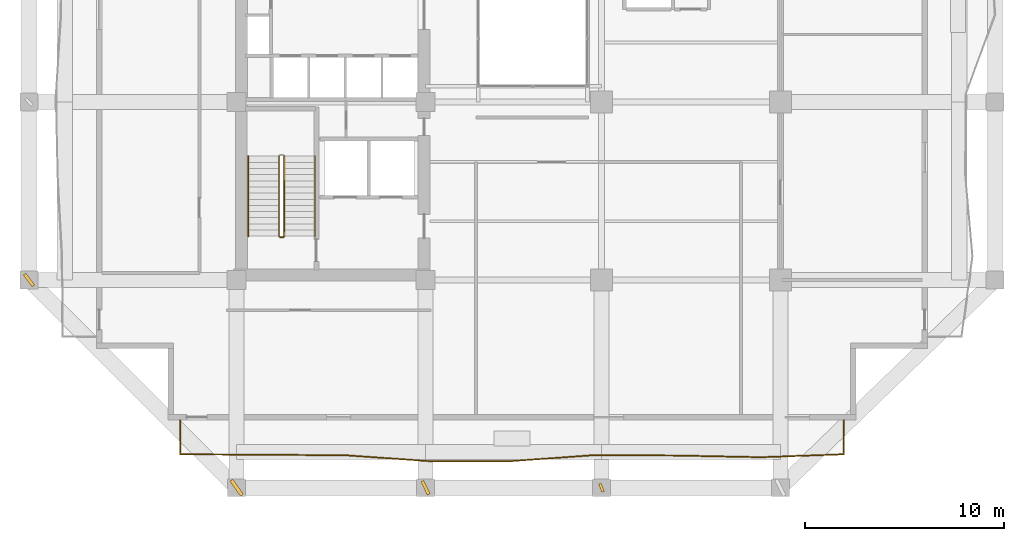
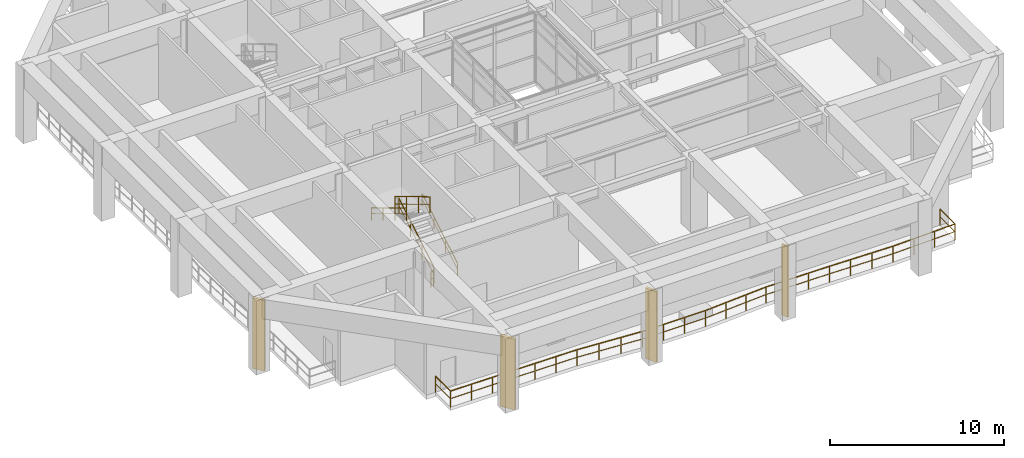
# One storey, part 9 of 13: 6 railings, 4 shading devices.
"""IFC4 building model written with IfcOpenShell, lengths in metres."""

from ifc_helpers import new_model, si_unit, direction, frame, origin, origin_2d, place, context, subcontext, project, spatial, rectangle, extrude, material, type_object, element, save


model = new_model("IFC4")

# Units and contexts
model_context = context("Model", 3, precision=1e-05, world=origin(), true_north=direction((0.0, 1.0)))
body_context = subcontext(model_context, "Body", "Model", "MODEL_VIEW")
ifc_project = project(units=[si_unit("LENGTHUNIT", "METRE"), si_unit("AREAUNIT", "SQUARE_METRE"), si_unit("VOLUMEUNIT", "CUBIC_METRE"), si_unit("PLANEANGLEUNIT", "RADIAN"), si_unit("MASSUNIT", "GRAM", prefix="KILO")], contexts=[model_context])

# Site, building, storey
site_placement = place(None, origin())
site = spatial("IfcSite", under=ifc_project, at=site_placement, CompositionType="ELEMENT")
building_placement = place(site_placement, origin())
building = spatial("IfcBuilding", under=site, at=building_placement, Name="Kundavana Baori Tower", CompositionType="ELEMENT")
storey_placement = place(building_placement, frame((0.0, 0.0, 98.800048828125)))
storey = spatial("IfcBuildingStorey", under=building, at=storey_placement, Name="L23", CompositionType="ELEMENT", Elevation=98.800048828125)

# Railings
ifc_material_1 = material(Name="Architectural Patinated Bronze Metalwork")
railing_type_1 = type_object("IfcRailingType", Name="RL-BAL-1150", PredefinedType="BALUSTRADE", material=ifc_material_1)
railing_1_placement = place(storey_placement, frame((46.0, 8.199951171875, 0.0)))
element("IfcRailing", 1, at=railing_1_placement, inside=storey, type_object=railing_type_1, Name="L23 Loggia Balcony Balustrade S", PredefinedType="BALUSTRADE", context=body_context, shape_type="SweptSolid", body=[
    extrude(rectangle(XDim=0.048095703125, YDim=0.048095703125, at=origin_2d()), frame((0.0, 0.0, 1.1259765625), z_axis=(0.0, -1.0, 0.0), x_axis=(1.0, 0.0, 0.0)), (0.0, 0.0, 1.0), 1.719970703125),
    extrude(rectangle(XDim=0.03125, YDim=0.03125, at=origin_2d()), frame((0.0, 0.0, 0.597900390625), z_axis=(0.0, -1.0, 0.0), x_axis=(1.0, 0.0, 0.0)), (0.0, 0.0, 1.0), 1.719970703125),
    extrude(rectangle(XDim=0.048095703125, YDim=0.048095703125, at=origin_2d()), frame((0.0, -1.719970703125, 1.1259765625), z_axis=(-0.999380963067, -0.035180828008, 0.0), x_axis=(0.035180828008, -0.999380963067, 0.0)), (0.0, 0.0, 1.0), 4.177734375),
    extrude(rectangle(XDim=0.03125, YDim=0.03125, at=origin_2d()), frame((0.0, -1.719970703125, 0.597900390625), z_axis=(-0.999380963067, -0.035180828008, 0.0), x_axis=(0.035180828008, -0.999380963067, 0.0)), (0.0, 0.0, 1.0), 4.177734375),
    extrude(rectangle(XDim=0.048095703125, YDim=0.048095703125, at=origin_2d()), frame((-4.175048828125, -1.866943359375, 1.1259765625), z_axis=(-0.999797739024, 0.020111714065, 0.0), x_axis=(-0.020111714065, -0.999797739024, 0.0)), (0.0, 0.0, 1.0), 4.17578125),
    extrude(rectangle(XDim=0.03125, YDim=0.03125, at=origin_2d()), frame((-4.175048828125, -1.866943359375, 0.597900390625), z_axis=(-0.999797739024, 0.020111714065, 0.0), x_axis=(-0.020111714065, -0.999797739024, 0.0)), (0.0, 0.0, 1.0), 4.17578125),
    extrude(rectangle(XDim=0.048095703125, YDim=0.048095703125, at=origin_2d()), frame((-8.35009765625, -1.782958984375, 1.1259765625), z_axis=(-0.999983578258, 0.005730900039, 0.0), x_axis=(-0.005730900039, -0.999983578258, 0.0)), (0.0, 0.0, 1.0), 4.1748046875),
    extrude(rectangle(XDim=0.03125, YDim=0.03125, at=origin_2d()), frame((-8.35009765625, -1.782958984375, 0.597900390625), z_axis=(-0.999983578258, 0.005730900039, 0.0), x_axis=(-0.005730900039, -0.999983578258, 0.0)), (0.0, 0.0, 1.0), 4.1748046875),
    extrude(rectangle(XDim=0.048095703125, YDim=0.048095703125, at=origin_2d()), frame((-12.52490234375, -1.759033203125, 1.1259765625), z_axis=(-0.997410810214, -0.071914363429, 0.0), x_axis=(0.071914363429, -0.997410810214, 0.0)), (0.0, 0.0, 1.0), 4.185791015625),
    extrude(rectangle(XDim=0.03125, YDim=0.03125, at=origin_2d()), frame((-12.52490234375, -1.759033203125, 0.597900390625), z_axis=(-0.997410810214, -0.071914363429, 0.0), x_axis=(0.071914363429, -0.997410810214, 0.0)), (0.0, 0.0, 1.0), 4.185791015625),
    extrude(rectangle(XDim=0.048095703125, YDim=0.048095703125, at=origin_2d()), frame((-16.699951171875, -2.06005859375, 1.1259765625), z_axis=(-0.999999753799, -0.000701713177, 0.0), x_axis=(0.000701713177, -0.999999753799, 0.0)), (0.0, 0.0, 1.0), 4.175048828125),
    extrude(rectangle(XDim=0.03125, YDim=0.03125, at=origin_2d()), frame((-16.699951171875, -2.06005859375, 0.597900390625), z_axis=(-0.999999753799, -0.000701713177, 0.0), x_axis=(0.000701713177, -0.999999753799, 0.0)), (0.0, 0.0, 1.0), 4.175048828125),
    extrude(rectangle(XDim=0.048095703125, YDim=0.048095703125, at=origin_2d()), frame((-20.875, -2.06298828125, 1.1259765625), z_axis=(-0.997547046949, 0.069999208019, 0.0), x_axis=(-0.069999208019, -0.997547046949, 0.0)), (0.0, 0.0, 1.0), 4.185302734375),
    extrude(rectangle(XDim=0.03125, YDim=0.03125, at=origin_2d()), frame((-20.875, -2.06298828125, 0.597900390625), z_axis=(-0.997547046949, 0.069999208019, 0.0), x_axis=(-0.069999208019, -0.997547046949, 0.0)), (0.0, 0.0, 1.0), 4.185302734375),
    extrude(rectangle(XDim=0.048095703125, YDim=0.048095703125, at=origin_2d()), frame((-25.050048828125, -1.77001953125, 1.1259765625), z_axis=(-0.999977389616, 0.006724600889, 0.0), x_axis=(-0.006724600889, -0.999977389616, 0.0)), (0.0, 0.0, 1.0), 4.175048828125),
    extrude(rectangle(XDim=0.03125, YDim=0.03125, at=origin_2d()), frame((-25.050048828125, -1.77001953125, 0.597900390625), z_axis=(-0.999977389616, 0.006724600889, 0.0), x_axis=(-0.006724600889, -0.999977389616, 0.0)), (0.0, 0.0, 1.0), 4.175048828125),
    extrude(rectangle(XDim=0.048095703125, YDim=0.048095703125, at=origin_2d()), frame((-29.22509765625, -1.741943359375, 1.1259765625), z_axis=(-0.999986149872, 0.005263084999, 0.0), x_axis=(-0.005263084999, -0.999986149872, 0.0)), (0.0, 0.0, 1.0), 4.1748046875),
    extrude(rectangle(XDim=0.03125, YDim=0.03125, at=origin_2d()), frame((-29.22509765625, -1.741943359375, 0.597900390625), z_axis=(-0.999986149872, 0.005263084999, 0.0), x_axis=(-0.005263084999, -0.999986149872, 0.0)), (0.0, 0.0, 1.0), 4.1748046875),
    extrude(rectangle(XDim=0.048095703125, YDim=0.048095703125, at=origin_2d()), frame((-33.39990234375, -1.719970703125, 1.1259765625), z_axis=(0.0, 1.0, 0.0), x_axis=(-1.0, 0.0, 0.0)), (0.0, 0.0, 1.0), 1.719970703125),
    extrude(rectangle(XDim=0.03125, YDim=0.03125, at=origin_2d()), frame((-33.39990234375, -1.719970703125, 0.597900390625), z_axis=(0.0, 1.0, 0.0), x_axis=(-1.0, 0.0, 0.0)), (0.0, 0.0, 1.0), 1.719970703125),
    extrude(rectangle(XDim=0.0419921875, YDim=0.0419921875, at=origin_2d()), origin(), (0.0, 0.0, 1.0), 1.101806640625),
    extrude(rectangle(XDim=0.0419921875, YDim=0.0419921875, at=origin_2d()), frame((0.0, -1.719970703125, 0.0)), (0.0, 0.0, 1.0), 1.101806640625),
    extrude(rectangle(XDim=0.0419921875, YDim=0.0419921875, at=origin_2d()), frame((-1.3916015625, -1.76904296875, 0.0)), (0.0, 0.0, 1.0), 1.101806640625),
    extrude(rectangle(XDim=0.0419921875, YDim=0.0419921875, at=origin_2d()), frame((-2.783447265625, -1.81787109375, 0.0)), (0.0, 0.0, 1.0), 1.101806640625),
    extrude(rectangle(XDim=0.0419921875, YDim=0.0419921875, at=origin_2d()), frame((-4.175048828125, -1.866943359375, 0.0)), (0.0, 0.0, 1.0), 1.101806640625),
    extrude(rectangle(XDim=0.0419921875, YDim=0.0419921875, at=origin_2d()), frame((-5.566650390625, -1.8388671875, 0.0)), (0.0, 0.0, 1.0), 1.101806640625),
    extrude(rectangle(XDim=0.0419921875, YDim=0.0419921875, at=origin_2d()), frame((-6.95849609375, -1.81103515625, 0.0)), (0.0, 0.0, 1.0), 1.101806640625),
    extrude(rectangle(XDim=0.0419921875, YDim=0.0419921875, at=origin_2d()), frame((-8.35009765625, -1.782958984375, 0.0)), (0.0, 0.0, 1.0), 1.101806640625),
    extrude(rectangle(XDim=0.0419921875, YDim=0.0419921875, at=origin_2d()), frame((-9.74169921875, -1.77490234375, 0.0)), (0.0, 0.0, 1.0), 1.101806640625),
    extrude(rectangle(XDim=0.0419921875, YDim=0.0419921875, at=origin_2d()), frame((-11.13330078125, -1.76708984375, 0.0)), (0.0, 0.0, 1.0), 1.101806640625),
    extrude(rectangle(XDim=0.0419921875, YDim=0.0419921875, at=origin_2d()), frame((-12.52490234375, -1.759033203125, 0.0)), (0.0, 0.0, 1.0), 1.101806640625),
    extrude(rectangle(XDim=0.0419921875, YDim=0.0419921875, at=origin_2d()), frame((-13.91650390625, -1.859375, 0.0)), (0.0, 0.0, 1.0), 1.101806640625),
    extrude(rectangle(XDim=0.0419921875, YDim=0.0419921875, at=origin_2d()), frame((-15.308349609375, -1.959716796875, 0.0)), (0.0, 0.0, 1.0), 1.101806640625),
    extrude(rectangle(XDim=0.0419921875, YDim=0.0419921875, at=origin_2d()), frame((-16.699951171875, -2.06005859375, 0.0)), (0.0, 0.0, 1.0), 1.101806640625),
    extrude(rectangle(XDim=0.0419921875, YDim=0.0419921875, at=origin_2d()), frame((-18.091552734375, -2.06103515625, 0.0)), (0.0, 0.0, 1.0), 1.101806640625),
    extrude(rectangle(XDim=0.0419921875, YDim=0.0419921875, at=origin_2d()), frame((-19.4833984375, -2.06201171875, 0.0)), (0.0, 0.0, 1.0), 1.101806640625),
    extrude(rectangle(XDim=0.0419921875, YDim=0.0419921875, at=origin_2d()), frame((-20.875, -2.06298828125, 0.0)), (0.0, 0.0, 1.0), 1.101806640625),
    extrude(rectangle(XDim=0.0419921875, YDim=0.0419921875, at=origin_2d()), frame((-22.2666015625, -1.96533203125, 0.0)), (0.0, 0.0, 1.0), 1.101806640625),
    extrude(rectangle(XDim=0.0419921875, YDim=0.0419921875, at=origin_2d()), frame((-23.658447265625, -1.86767578125, 0.0)), (0.0, 0.0, 1.0), 1.101806640625),
    extrude(rectangle(XDim=0.0419921875, YDim=0.0419921875, at=origin_2d()), frame((-25.050048828125, -1.77001953125, 0.0)), (0.0, 0.0, 1.0), 1.101806640625),
    extrude(rectangle(XDim=0.0419921875, YDim=0.0419921875, at=origin_2d()), frame((-26.441650390625, -1.7607421875, 0.0)), (0.0, 0.0, 1.0), 1.101806640625),
    extrude(rectangle(XDim=0.0419921875, YDim=0.0419921875, at=origin_2d()), frame((-27.83349609375, -1.751220703125, 0.0)), (0.0, 0.0, 1.0), 1.101806640625),
    extrude(rectangle(XDim=0.0419921875, YDim=0.0419921875, at=origin_2d()), frame((-29.22509765625, -1.741943359375, 0.0)), (0.0, 0.0, 1.0), 1.101806640625),
    extrude(rectangle(XDim=0.0419921875, YDim=0.0419921875, at=origin_2d()), frame((-30.61669921875, -1.734619140625, 0.0)), (0.0, 0.0, 1.0), 1.101806640625),
    extrude(rectangle(XDim=0.0419921875, YDim=0.0419921875, at=origin_2d()), frame((-32.00830078125, -1.727294921875, 0.0)), (0.0, 0.0, 1.0), 1.101806640625),
    extrude(rectangle(XDim=0.0419921875, YDim=0.0419921875, at=origin_2d()), frame((-33.39990234375, -1.719970703125, 0.0)), (0.0, 0.0, 1.0), 1.101806640625),
    extrude(rectangle(XDim=0.0419921875, YDim=0.0419921875, at=origin_2d()), frame((-33.39990234375, 0.0, 0.0)), (0.0, 0.0, 1.0), 1.101806640625),
])
ifc_material_2 = material(Name="Architectural Patinated Bronze Metalwork")
railing_type_2 = type_object("IfcRailingType", Name="RL-GRD-1150", PredefinedType="GUARDRAIL", material=ifc_material_2)
railing_2_placement = place(storey_placement, frame((17.840087890625, 17.449951171875, 0.185546875)))
element("IfcRailing", 2, at=railing_2_placement, inside=storey, type_object=railing_type_2, Name="L23 ST1 stair guard 1", PredefinedType="GUARDRAIL", context=body_context, shape_type="SweptSolid", body=[
    extrude(rectangle(XDim=0.048095703125, YDim=0.048095703125, at=origin_2d()), frame((0.0, 0.0, 1.1259765625), z_axis=(0.0, 0.857841222509, 0.51391481489), x_axis=(-1.0, 0.0, 0.0)), (0.0, 0.0, 1.0), 4.69775390625),
    extrude(rectangle(XDim=0.03125, YDim=0.03125, at=origin_2d()), frame((0.0, 0.0, 0.597900390625), z_axis=(0.0, 0.857841222509, 0.51391481489), x_axis=(-1.0, 0.0, 0.0)), (0.0, 0.0, 1.0), 4.69775390625),
    extrude(rectangle(XDim=0.0419921875, YDim=0.0419921875, at=origin_2d()), origin(), (0.0, 0.0, 1.0), 1.101806640625),
    extrude(rectangle(XDim=0.0419921875, YDim=0.0419921875, at=origin_2d()), frame((0.0, 1.34326171875, 0.8046875)), (0.0, 0.0, 1.0), 1.101806640625),
    extrude(rectangle(XDim=0.0419921875, YDim=0.0419921875, at=origin_2d()), frame((0.0, 2.686767578125, 1.609619140625)), (0.0, 0.0, 1.0), 1.101806640625),
    extrude(rectangle(XDim=0.0419921875, YDim=0.0419921875, at=origin_2d()), frame((0.0, 4.030029296875, 2.414306640625)), (0.0, 0.0, 1.0), 1.101806640625),
])
railing_3_placement = place(storey_placement, frame((17.580078125, 21.47998046875, 2.78564453125)))
element("IfcRailing", 3, at=railing_3_placement, inside=storey, type_object=railing_type_2, Name="L23 ST1 stair guard 3", PredefinedType="GUARDRAIL", context=body_context, shape_type="SweptSolid", body=[
    extrude(rectangle(XDim=0.048095703125, YDim=0.048095703125, at=origin_2d()), frame((0.0, 0.0, 1.1259765625), z_axis=(0.0, -0.857841222509, 0.51391481489), x_axis=(1.0, 0.0, 0.0)), (0.0, 0.0, 1.0), 4.69775390625),
    extrude(rectangle(XDim=0.03125, YDim=0.03125, at=origin_2d()), frame((0.0, 0.0, 0.597900390625), z_axis=(0.0, -0.857841222509, 0.51391481489), x_axis=(1.0, 0.0, 0.0)), (0.0, 0.0, 1.0), 4.69775390625),
    extrude(rectangle(XDim=0.0419921875, YDim=0.0419921875, at=origin_2d()), origin(), (0.0, 0.0, 1.0), 1.101806640625),
    extrude(rectangle(XDim=0.0419921875, YDim=0.0419921875, at=origin_2d()), frame((0.0, -1.34326171875, 0.8046875)), (0.0, 0.0, 1.0), 1.101806640625),
    extrude(rectangle(XDim=0.0419921875, YDim=0.0419921875, at=origin_2d()), frame((0.0, -2.686767578125, 1.609619140625)), (0.0, 0.0, 1.0), 1.101806640625),
    extrude(rectangle(XDim=0.0419921875, YDim=0.0419921875, at=origin_2d()), frame((0.0, -4.030029296875, 2.414306640625)), (0.0, 0.0, 1.0), 1.101806640625),
])
railing_4_placement = place(storey_placement, frame((17.7900390625, 17.39990234375, 0.0)))
element("IfcRailing", 4, at=railing_4_placement, inside=storey, type_object=railing_type_2, Name="L23 ST1 stair guard 4", PredefinedType="GUARDRAIL", context=body_context, shape_type="SweptSolid", body=[
    extrude(rectangle(XDim=0.048095703125, YDim=0.048095703125, at=origin_2d()), frame((0.0, 0.0, 1.1259765625), z_axis=(-1.0, 0.0, 0.0), x_axis=(0.0, -1.0, 0.0)), (0.0, 0.0, 1.0), 0.16015625),
    extrude(rectangle(XDim=0.03125, YDim=0.03125, at=origin_2d()), frame((0.0, 0.0, 0.597900390625), z_axis=(-1.0, 0.0, 0.0), x_axis=(0.0, -1.0, 0.0)), (0.0, 0.0, 1.0), 0.16015625),
    extrude(rectangle(XDim=0.0419921875, YDim=0.0419921875, at=origin_2d()), origin(), (0.0, 0.0, 1.0), 1.101806640625),
    extrude(rectangle(XDim=0.0419921875, YDim=0.0419921875, at=origin_2d()), frame((-0.16015625, 0.0, 0.0)), (0.0, 0.0, 1.0), 1.101806640625),
])
ifc_material_3 = material(Name="Architectural Patinated Bronze Metalwork")
railing_type_3 = type_object("IfcRailingType", Name="RL-HND-920", PredefinedType="HANDRAIL", material=ifc_material_3)
railing_5_placement = place(storey_placement, frame((19.389892578125, 17.449951171875, 0.185546875)))
element("IfcRailing", 5, at=railing_5_placement, inside=storey, type_object=railing_type_3, Name="L23 ST1 stair handrail 1", PredefinedType="HANDRAIL", context=body_context, shape_type="SweptSolid", body=[
    extrude(rectangle(XDim=0.048095703125, YDim=0.048095703125, at=origin_2d()), frame((0.0, 0.0, 0.8759765625), z_axis=(0.0, 0.857841222509, 0.51391481489), x_axis=(-1.0, 0.0, 0.0)), (0.0, 0.0, 1.0), 4.69775390625),
    extrude(rectangle(XDim=0.03125, YDim=0.03125, at=origin_2d()), frame((0.0, 0.0, 0.468017578125), z_axis=(0.0, 0.857841222509, 0.51391481489), x_axis=(-1.0, 0.0, 0.0)), (0.0, 0.0, 1.0), 4.69775390625),
    extrude(rectangle(XDim=0.0419921875, YDim=0.0419921875, at=origin_2d()), origin(), (0.0, 0.0, 1.0), 0.851806640625),
    extrude(rectangle(XDim=0.0419921875, YDim=0.0419921875, at=origin_2d()), frame((0.0, 1.34326171875, 0.8046875)), (0.0, 0.0, 1.0), 0.851806640625),
    extrude(rectangle(XDim=0.0419921875, YDim=0.0419921875, at=origin_2d()), frame((0.0, 2.686767578125, 1.609619140625)), (0.0, 0.0, 1.0), 0.851806640625),
    extrude(rectangle(XDim=0.0419921875, YDim=0.0419921875, at=origin_2d()), frame((0.0, 4.030029296875, 2.414306640625)), (0.0, 0.0, 1.0), 0.851806640625),
])
railing_6_placement = place(storey_placement, frame((16.030029296875, 21.47998046875, 2.78564453125)))
element("IfcRailing", 6, at=railing_6_placement, inside=storey, type_object=railing_type_3, Name="L23 ST1 stair handrail 2", PredefinedType="HANDRAIL", context=body_context, shape_type="SweptSolid", body=[
    extrude(rectangle(XDim=0.048095703125, YDim=0.048095703125, at=origin_2d()), frame((0.0, 0.0, 0.8759765625), z_axis=(0.0, -0.857841222509, 0.51391481489), x_axis=(1.0, 0.0, 0.0)), (0.0, 0.0, 1.0), 4.69775390625),
    extrude(rectangle(XDim=0.03125, YDim=0.03125, at=origin_2d()), frame((0.0, 0.0, 0.468017578125), z_axis=(0.0, -0.857841222509, 0.51391481489), x_axis=(1.0, 0.0, 0.0)), (0.0, 0.0, 1.0), 4.69775390625),
    extrude(rectangle(XDim=0.0419921875, YDim=0.0419921875, at=origin_2d()), origin(), (0.0, 0.0, 1.0), 0.851806640625),
    extrude(rectangle(XDim=0.0419921875, YDim=0.0419921875, at=origin_2d()), frame((0.0, -1.34326171875, 0.8046875)), (0.0, 0.0, 1.0), 0.851806640625),
    extrude(rectangle(XDim=0.0419921875, YDim=0.0419921875, at=origin_2d()), frame((0.0, -2.686767578125, 1.609619140625)), (0.0, 0.0, 1.0), 0.851806640625),
    extrude(rectangle(XDim=0.0419921875, YDim=0.0419921875, at=origin_2d()), frame((0.0, -4.030029296875, 2.414306640625)), (0.0, 0.0, 1.0), 0.851806640625),
])

# Shading devices
ifc_material_4 = material(Name="Red-Buff Dholpur Sandstone Cladding on Concrete C40/50", Category="masonry")
shading_device_type_1 = type_object("IfcShadingDeviceType", Name="SHD-FIN-750", PredefinedType="JALOUSIE", material=ifc_material_4)
for number, where, z_axis, x_axis, name in (
    (7, (24.949951171875, 4.800048828125, 0.0), (0.0, 0.0, 1.0), (0.897643314515, 0.440722679139, 0.0), "L23 Sweeping Dholpur Sandstone Facade Fin 2"),
    (8, (5.0, 15.25, 0.0), (0.0, 0.0, 1.0), (0.802296865209, 0.596925238263, 0.0), "L23 Sweeping Dholpur Sandstone Facade Fin 5"),
):
    element("IfcShadingDevice", number, at=place(storey_placement, frame(where, z_axis=z_axis, x_axis=x_axis)), inside=storey, type_object=shading_device_type_1, Name=name, PredefinedType="JALOUSIE", context=body_context, shape_type="SweptSolid", body=[
        extrude(rectangle(XDim=0.159912109375, YDim=0.75, at=origin_2d()), origin(), (0.0, 0.0, 1.0), 4.949951171875),
    ])
ifc_material_5 = material(Name="Red-Buff Dholpur Sandstone Cladding on Concrete C40/50", Category="masonry")
shading_device_type_2 = type_object("IfcShadingDeviceType", Name="SHD-FIN-920", PredefinedType="JALOUSIE", material=ifc_material_5)
shading_device_1_placement = place(storey_placement, frame((15.449951171875, 4.800048828125, 0.0), z_axis=(0.0, 0.0, 1.0), x_axis=(0.812490717577, 0.582974127943, 0.0)))
element("IfcShadingDevice", 9, at=shading_device_1_placement, inside=storey, type_object=shading_device_type_2, Name="L23 Sweeping Dholpur Sandstone Facade Fin 1", PredefinedType="JALOUSIE", context=body_context, shape_type="SweptSolid", body=[
    extrude(rectangle(XDim=0.179931640625, YDim=0.919921875, at=origin_2d()), origin(), (0.0, 0.0, 1.0), 4.949951171875),
])
ifc_material_6 = material(Name="Architectural Patinated Bronze Metalwork")
shading_device_type_3 = type_object("IfcShadingDeviceType", Name="SHD-LOUV-450", PredefinedType="SHUTTER", material=ifc_material_6)
shading_device_2_placement = place(storey_placement, frame((33.800048828125, 4.800048828125, 0.0), z_axis=(0.0, 0.0, 1.0), x_axis=(0.927118459261, 0.37476841182, 0.0)))
element("IfcShadingDevice", 10, at=shading_device_2_placement, inside=storey, type_object=shading_device_type_3, Name="L23 Sweeping Dholpur Sandstone Facade Fin 3", PredefinedType="SHUTTER", context=body_context, shape_type="SweptSolid", body=[
    extrude(rectangle(XDim=0.139892578125, YDim=0.449951171875, at=origin_2d()), origin(), (0.0, 0.0, 1.0), 4.949951171875),
])

save(model, "model.ifc")
